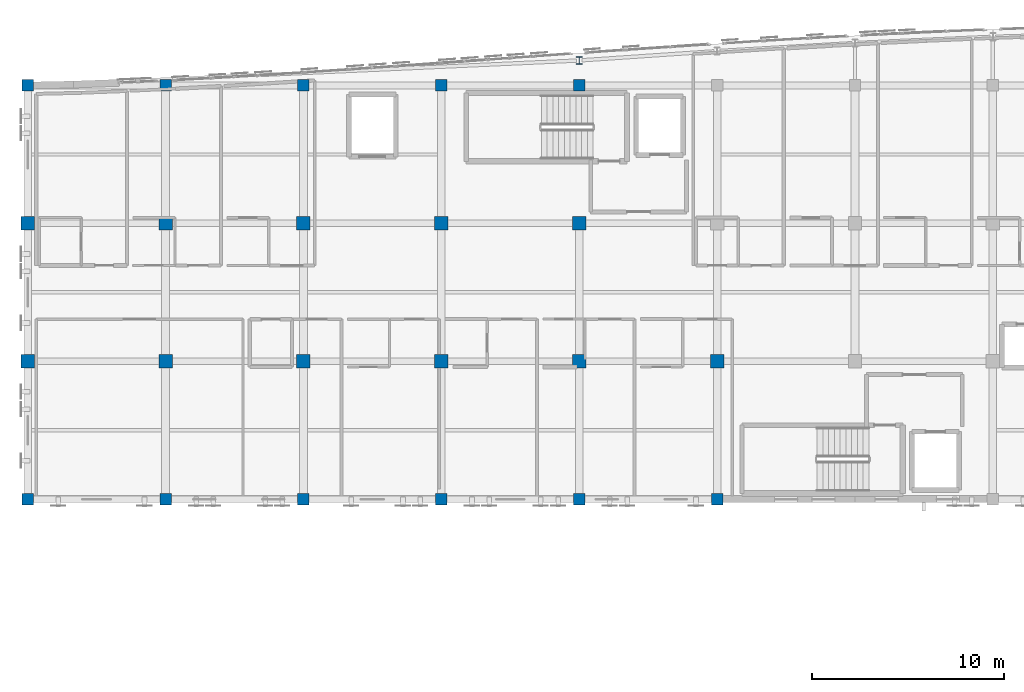
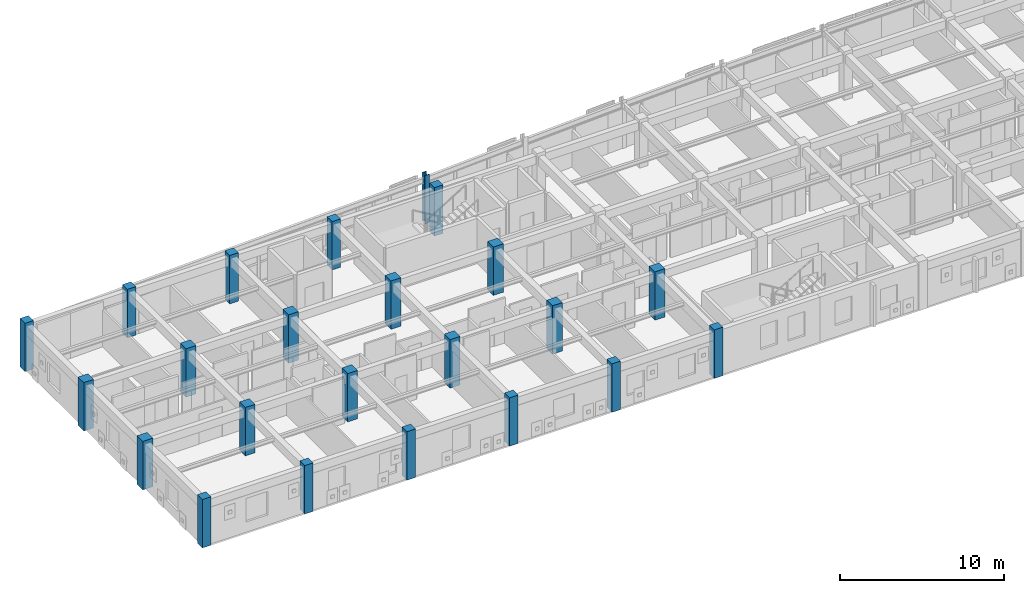
# One storey, part 1 of 73: 23 columns.
"""IFC4 building model written with IfcOpenShell, lengths in metres."""

from ifc_helpers import new_model, si_unit, direction, frame, origin, origin_2d, place, context, subcontext, project, spatial, rectangle, i_section, extrude, material, material_profile, profile_set, type_object, element, save


model = new_model("IFC4")

# Units and contexts
model_context = context("Model", 3, precision=1e-05, world=origin(), true_north=direction((0.0, 1.0)))
body_context = subcontext(model_context, "Body", "Model", "MODEL_VIEW")
ifc_project = project(units=[si_unit("LENGTHUNIT", "METRE"), si_unit("AREAUNIT", "SQUARE_METRE"), si_unit("VOLUMEUNIT", "CUBIC_METRE"), si_unit("PLANEANGLEUNIT", "RADIAN"), si_unit("MASSUNIT", "GRAM", prefix="KILO")], contexts=[model_context])

# Site, building, storey
site_placement = place(None, origin())
site = spatial("IfcSite", under=ifc_project, at=site_placement, CompositionType="ELEMENT")
building_placement = place(site_placement, origin())
building = spatial("IfcBuilding", under=site, at=building_placement, Name="Carrowvane Square Congress Hotel", CompositionType="ELEMENT")
storey_placement = place(building_placement, frame((0.0, 0.0, 19.199951171875)))
storey = spatial("IfcBuildingStorey", under=building, at=storey_placement, Name="L04", CompositionType="ELEMENT", Elevation=19.199951171875)

# Columns
ifc_material_1 = material(Name="Concrete C40/50", Category="concrete")
ifc_material_profile_1 = material_profile(ifc_material_1, rectangle(XDim=0.60009765625, YDim=0.60009765625, at=origin_2d()), Name="RC 600x600")
ifc_profile_set_1 = profile_set([ifc_material_profile_1], Name="Concrete C40/50")
column_type_1 = type_object("IfcColumnType", Name="COL-RC-600", PredefinedType="COLUMN", material=ifc_profile_set_1)
for number, where, z_axis, x_axis, name in (
    (1, (33.199951171875, 91.800048828125, 0.0), (0.0, 0.0, 1.0), (1.0, 0.0, 0.0), "L04 column 4/N"),
    (2, (33.199951171875, 113.39990234375, 0.0), (0.0, 0.0, 1.0), (1.0, 0.0, 0.0), "L04 column 4/R"),
    (3, (40.39990234375, 91.800048828125, 0.0), (0.0, 0.0, 1.0), (1.0, 0.0, 0.0), "L04 column 5/N"),
    (4, (40.39990234375, 113.39990234375, 0.0), (0.0, 0.0, 1.0), (1.0, 0.0, 0.0), "L04 column 5/R"),
    (5, (47.60009765625, 91.800048828125, 0.0), (0.0, 0.0, 1.0), (1.0, 0.0, 0.0), "L04 column 6/N"),
    (6, (47.60009765625, 113.39990234375, 0.0), (0.0, 0.0, 1.0), (1.0, 0.0, 0.0), "L04 column 6/R"),
    (7, (54.800048828125, 91.800048828125, 0.0), (0.0, 0.0, 1.0), (1.0, 0.0, 0.0), "L04 column 7/N"),
    (8, (54.800048828125, 113.39990234375, 0.0), (0.0, 0.0, 1.0), (1.0, 0.0, 0.0), "L04 column 7/R"),
    (9, (62.0, 91.800048828125, 0.0), (0.0, 0.0, 1.0), (1.0, 0.0, 0.0), "L04 column 8/N"),
    (10, (62.0, 113.39990234375, 0.0), (0.0, 0.0, 1.0), (1.0, 0.0, 0.0), "L04 column 8/R"),
    (11, (69.199951171875, 91.800048828125, 0.0), (0.0, 0.0, 1.0), (1.0, 0.0, 0.0), "L04 column 9/N"),
):
    element("IfcColumn", number, at=place(storey_placement, frame(where, z_axis=z_axis, x_axis=x_axis)), inside=storey, type_object=column_type_1, Name=name, PredefinedType="COLUMN", context=body_context, shape_type="SweptSolid", body=[
        extrude(rectangle(XDim=0.60009765625, YDim=0.60009765625, at=origin_2d()), origin(), (0.0, 0.0, 1.0), 3.60009765625),
    ])
ifc_material_2 = material(Name="Concrete C40/50", Category="concrete")
ifc_material_profile_2 = material_profile(ifc_material_2, rectangle(XDim=0.699951171875, YDim=0.699951171875, at=origin_2d()), Name="RC 700x700")
ifc_profile_set_2 = profile_set([ifc_material_profile_2], Name="Concrete C40/50")
column_type_2 = type_object("IfcColumnType", Name="COL-RC-700", PredefinedType="COLUMN", material=ifc_profile_set_2)
for number, where, z_axis, x_axis, name in (
    (12, (33.199951171875, 99.0, 0.0), (0.0, 0.0, 1.0), (1.0, 0.0, 0.0), "L04 column 4/P"),
    (13, (33.199951171875, 106.199951171875, 0.0), (0.0, 0.0, 1.0), (1.0, 0.0, 0.0), "L04 column 4/Q"),
    (14, (40.39990234375, 99.0, 0.0), (0.0, 0.0, 1.0), (1.0, 0.0, 0.0), "L04 column 5/P"),
    (15, (40.39990234375, 106.199951171875, 0.0), (0.0, 0.0, 1.0), (1.0, 0.0, 0.0), "L04 column 5/Q"),
    (16, (47.60009765625, 99.0, 0.0), (0.0, 0.0, 1.0), (1.0, 0.0, 0.0), "L04 column 6/P"),
    (17, (47.60009765625, 106.199951171875, 0.0), (0.0, 0.0, 1.0), (1.0, 0.0, 0.0), "L04 column 6/Q"),
    (18, (54.800048828125, 99.0, 0.0), (0.0, 0.0, 1.0), (1.0, 0.0, 0.0), "L04 column 7/P"),
    (19, (54.800048828125, 106.199951171875, 0.0), (0.0, 0.0, 1.0), (1.0, 0.0, 0.0), "L04 column 7/Q"),
    (20, (62.0, 99.0, 0.0), (0.0, 0.0, 1.0), (1.0, 0.0, 0.0), "L04 column 8/P"),
    (21, (62.0, 106.199951171875, 0.0), (0.0, 0.0, 1.0), (1.0, 0.0, 0.0), "L04 column 8/Q"),
    (22, (69.199951171875, 99.0, 0.0), (0.0, 0.0, 1.0), (1.0, 0.0, 0.0), "L04 column 9/P"),
):
    element("IfcColumn", number, at=place(storey_placement, frame(where, z_axis=z_axis, x_axis=x_axis)), inside=storey, type_object=column_type_2, Name=name, PredefinedType="COLUMN", context=body_context, shape_type="SweptSolid", body=[
        extrude(rectangle(XDim=0.699951171875, YDim=0.699951171875, at=origin_2d()), origin(), (0.0, 0.0, 1.0), 3.60009765625),
    ])
ifc_material_3 = material(Name="Steel S355", Category="steel")
ifc_material_profile_3 = material_profile(ifc_material_3, i_section(OverallWidth=0.300048828125, OverallDepth=0.39990234375, WebThickness=0.013427734375, FlangeThickness=0.02392578125, FilletRadius=0.027099609375, at=origin_2d()), Name="HEB 400")
ifc_profile_set_3 = profile_set([ifc_material_profile_3], Name="Steel S355")
column_type_3 = type_object("IfcColumnType", Name="COL-ST-HEB400", PredefinedType="COLUMN", material=ifc_profile_set_3)
column_placement = place(storey_placement, frame((62.0, 114.7060546875, 0.0), z_axis=(0.0, 0.0, 1.0), x_axis=(1.0, 0.0, 0.0)))
element("IfcColumn", 23, at=column_placement, inside=storey, type_object=column_type_3, Name="L04 column 8/ARC", PredefinedType="COLUMN", context=body_context, shape_type="SweptSolid", body=[
    extrude(i_section(OverallWidth=0.300048828125, OverallDepth=0.39990234375, WebThickness=0.013427734375, FlangeThickness=0.02392578125, FilletRadius=0.027099609375, at=origin_2d()), origin(), (0.0, 0.0, 1.0), 3.60009765625),
])

save(model, "model.ifc")
